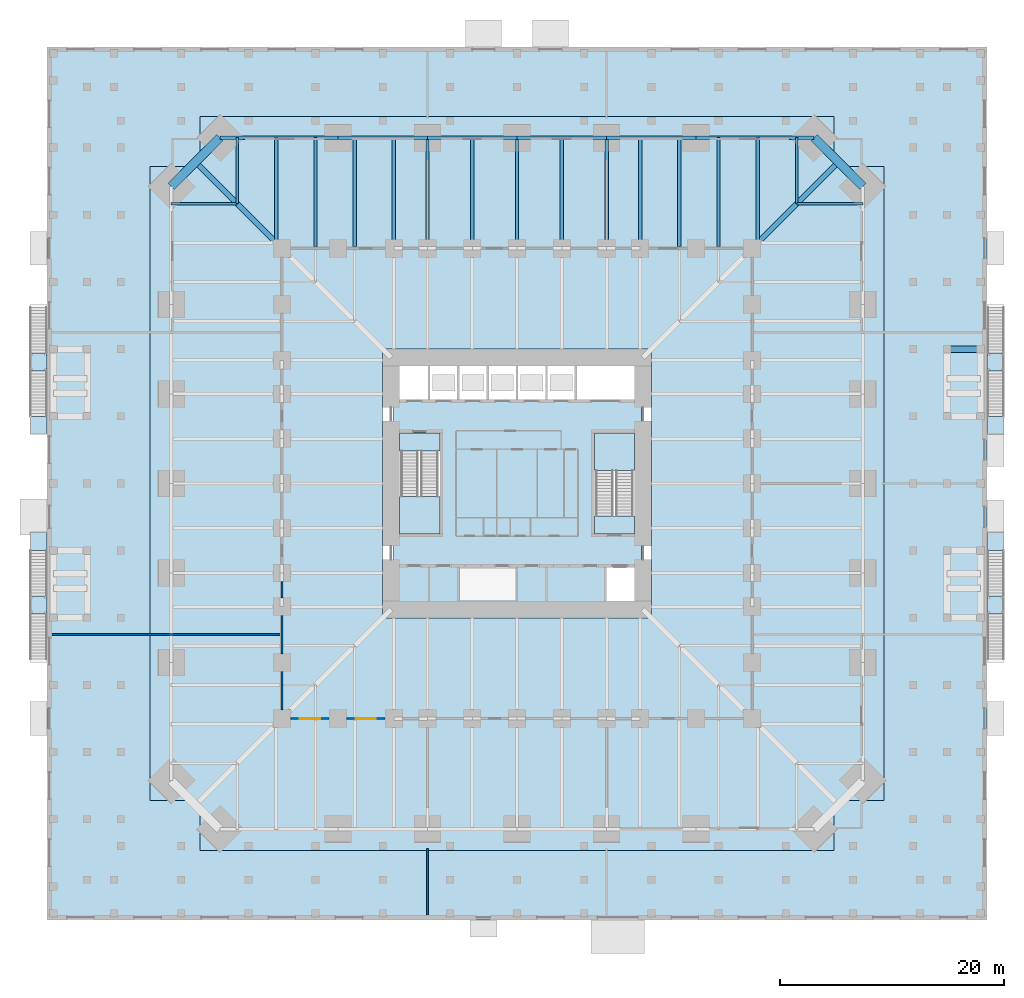
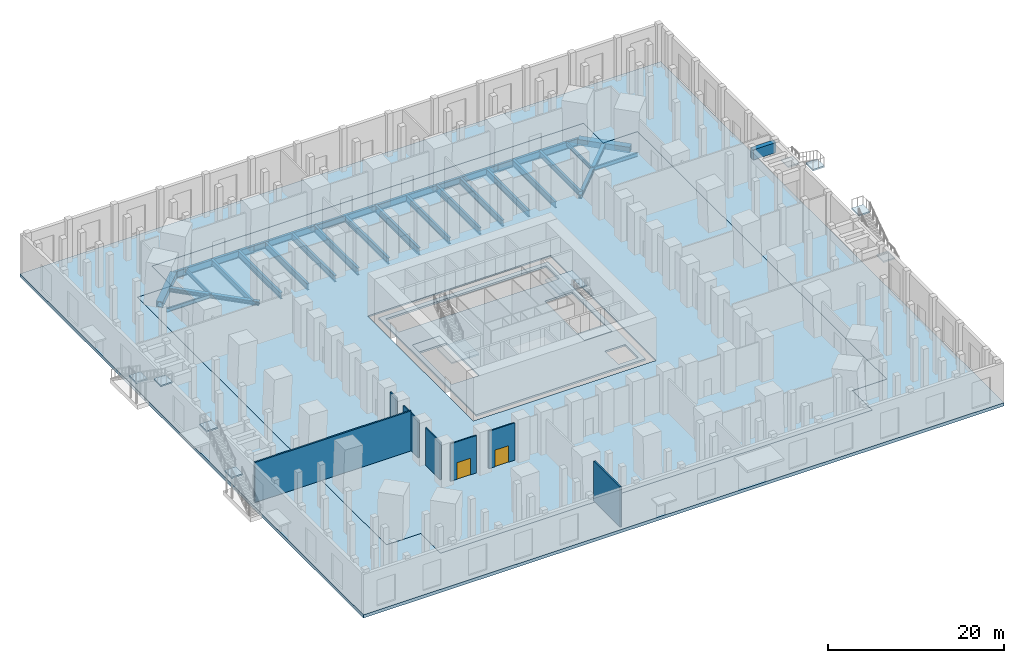
# One storey, part 10 of 20: 28 beams, 15 slabs, 7 walls, 2 doors, 2 openings, 6 elements without a shape of their own.
"""IFC4 building model written with IfcOpenShell, lengths in metres."""

from ifc_helpers import new_model, si_unit, direction, frame, frame_2d, origin, origin_2d, place, context, subcontext, project, spatial, polyline, rectangle, hollow_rectangle, i_section, outline, extrude, boolean, material, layer, layer_set, material_profile, profile_set, type_object, element, fill, aggregate, save


model = new_model("IFC4")

# Units and contexts
model_context = context("Model", 3, precision=1e-05, world=origin(), true_north=direction((0.0, 1.0)))
body_context = subcontext(model_context, "Body", "Model", "MODEL_VIEW")
ifc_project = project(units=[si_unit("LENGTHUNIT", "METRE"), si_unit("AREAUNIT", "SQUARE_METRE"), si_unit("VOLUMEUNIT", "CUBIC_METRE"), si_unit("PLANEANGLEUNIT", "RADIAN"), si_unit("MASSUNIT", "GRAM", prefix="KILO")], contexts=[model_context])

# Site, building, storey
site_placement = place(None, origin())
site = spatial("IfcSite", under=ifc_project, at=site_placement, CompositionType="ELEMENT")
building_placement = place(site_placement, origin())
building = spatial("IfcBuilding", under=site, at=building_placement, Name="Peilmerk Tower", CompositionType="ELEMENT")
storey_placement = place(building_placement, origin())
storey = spatial("IfcBuildingStorey", under=building, at=storey_placement, Name="L00", CompositionType="ELEMENT", Elevation=0.0)

# Beams
ifc_material_1 = material(Name="Steel S355", Category="steel")
ifc_material_profile_1 = material_profile(ifc_material_1, i_section(OverallWidth=0.302001953125, OverallDepth=1.008056640625, WebThickness=0.02099609375, FlangeThickness=0.0400390625, at=origin_2d()), Name="HEM 1000")
ifc_profile_set_1 = profile_set([ifc_material_profile_1], Name="Steel S355")
beam_type_1 = type_object("IfcBeamType", Name="B1 HEM 1000 edge beam", PredefinedType="SPANDREL", material=ifc_profile_set_1)
for number, where, z_axis, x_axis, name in (
    (1, (26.546875, 30.896728515625, -0.7041015625), (-1.0, 0.0, 0.0), (0.0, -1.0, 0.0), "Edge beam L00"),
    (2, (-16.0, 30.896728515625, -0.7041015625), (-1.0, 0.0, 0.0), (0.0, -1.0, 0.0), "Edge beam L00"),
):
    element("IfcBeam", number, at=place(storey_placement, frame(where, z_axis=z_axis, x_axis=x_axis)), inside=storey, type_object=beam_type_1, Name=name, PredefinedType="SPANDREL", context=body_context, shape_type="SweptSolid", body=[
        extrude(i_section(OverallWidth=0.302001953125, OverallDepth=1.008056640625, WebThickness=0.02099609375, FlangeThickness=0.0400390625, at=origin_2d()), origin(), (0.0, 0.0, 1.0), 10.546875),
    ])
ifc_material_profile_2 = material_profile(ifc_material_1, i_section(OverallWidth=0.2099609375, OverallDepth=0.550048828125, WebThickness=0.010986328125, FlangeThickness=0.01708984375, at=origin_2d()), Name="IPE 550")
ifc_profile_set_2 = profile_set([ifc_material_profile_2], Name="Steel S355")
beam_type_2 = type_object("IfcBeamType", Name="B12 IPE 550 floor beam", PredefinedType="BEAM", material=ifc_profile_set_2)
for number, where, z_axis, x_axis, name in (
    (3, (25.0, 25.0, -0.47509765625), (0.0, 1.0, 0.0), (-1.0, 0.0, 0.0), "Floor beam L00"),
    (4, (25.0, 25.0, -0.47509765625), (1.0, 0.0, 0.0), (0.0, 1.0, 0.0), "Floor beam L00"),
    (5, (-25.0, 25.0, -0.47509765625), (0.0, 1.0, 0.0), (-1.0, 0.0, 0.0), "Floor beam L00"),
    (6, (-25.0, 25.0, -0.47509765625), (-1.0, 0.0, 0.0), (0.0, -1.0, 0.0), "Floor beam L00"),
):
    element("IfcBeam", number, at=place(storey_placement, frame(where, z_axis=z_axis, x_axis=x_axis)), inside=storey, type_object=beam_type_2, Name=name, PredefinedType="BEAM", context=body_context, shape_type="SweptSolid", body=[
        extrude(i_section(OverallWidth=0.2099609375, OverallDepth=0.550048828125, WebThickness=0.010986328125, FlangeThickness=0.01708984375, at=origin_2d()), origin(), (0.0, 0.0, 1.0), 5.896728515625),
    ])
ifc_material_profile_3 = material_profile(ifc_material_1, i_section(OverallWidth=0.302001953125, OverallDepth=0.909912109375, WebThickness=0.02099609375, FlangeThickness=0.0400390625, at=origin_2d()), Name="HEM 900")
ifc_profile_set_3 = profile_set([ifc_material_profile_3], Name="Steel S355")
beam_type_3 = type_object("IfcBeamType", Name="B2 HEM 900 edge beam", PredefinedType="SPANDREL", material=ifc_profile_set_3)
for number, where, z_axis, x_axis, name in (
    (7, (16.0, 30.896728515625, -0.655029296875), (-1.0, 0.0, 0.0), (0.0, -1.0, 0.0), "Edge beam L00"),
    (8, (8.0, 30.896728515625, -0.655029296875), (-1.0, 0.0, 0.0), (0.0, -1.0, 0.0), "Edge beam L00"),
    (9, (0.0, 30.896728515625, -0.655029296875), (-1.0, 0.0, 0.0), (0.0, -1.0, 0.0), "Edge beam L00"),
    (10, (-8.0, 30.896728515625, -0.655029296875), (-1.0, 0.0, 0.0), (0.0, -1.0, 0.0), "Edge beam L00"),
):
    element("IfcBeam", number, at=place(storey_placement, frame(where, z_axis=z_axis, x_axis=x_axis)), inside=storey, type_object=beam_type_3, Name=name, PredefinedType="SPANDREL", context=body_context, shape_type="SweptSolid", body=[
        extrude(i_section(OverallWidth=0.302001953125, OverallDepth=0.909912109375, WebThickness=0.02099609375, FlangeThickness=0.0400390625, at=origin_2d()), origin(), (0.0, 0.0, 1.0), 8.0),
    ])
ifc_material_profile_4 = material_profile(ifc_material_1, i_section(OverallWidth=0.300048828125, OverallDepth=0.7900390625, WebThickness=0.014892578125, FlangeThickness=0.028076171875, at=origin_2d()), Name="HEA 800")
ifc_profile_set_4 = profile_set([ifc_material_profile_4], Name="Steel S355")
beam_type_4 = type_object("IfcBeamType", Name="B3 HEA 800 floor beam", PredefinedType="BEAM", material=ifc_profile_set_4)
for number, where, z_axis, x_axis, name in (
    (11, (21.5, 21.5, -0.594970703125), (0.0, 1.0, 0.0), (-1.0, 0.0, 0.0), "Floor beam L00"),
    (12, (-21.5, 21.5, -0.594970703125), (0.0, 1.0, 0.0), (-1.0, 0.0, 0.0), "Floor beam L00"),
):
    element("IfcBeam", number, at=place(storey_placement, frame(where, z_axis=z_axis, x_axis=x_axis)), inside=storey, type_object=beam_type_4, Name=name, PredefinedType="BEAM", context=body_context, shape_type="SweptSolid", body=[
        extrude(i_section(OverallWidth=0.300048828125, OverallDepth=0.7900390625, WebThickness=0.014892578125, FlangeThickness=0.028076171875, at=origin_2d()), origin(), (0.0, 0.0, 1.0), 9.396728515625),
    ])
ifc_material_profile_5 = material_profile(ifc_material_1, i_section(OverallWidth=0.300048828125, OverallDepth=0.889892578125, WebThickness=0.01611328125, FlangeThickness=0.030029296875, at=origin_2d()), Name="HEA 900")
ifc_profile_set_5 = profile_set([ifc_material_profile_5], Name="Steel S355")
beam_type_5 = type_object("IfcBeamType", Name="B4 HEA 900 floor beam", PredefinedType="BEAM", material=ifc_profile_set_5)
for number, where, z_axis, x_axis, name in (
    (13, (11.0, 21.0, -0.64501953125), (0.0, 1.0, 0.0), (-1.0, 0.0, 0.0), "Floor beam L00"),
    (14, (4.0, 21.0, -0.64501953125), (0.0, 1.0, 0.0), (-1.0, 0.0, 0.0), "Floor beam L00"),
    (15, (-4.0, 21.0, -0.64501953125), (0.0, 1.0, 0.0), (-1.0, 0.0, 0.0), "Floor beam L00"),
    (16, (-11.0, 21.0, -0.64501953125), (0.0, 1.0, 0.0), (-1.0, 0.0, 0.0), "Floor beam L00"),
):
    element("IfcBeam", number, at=place(storey_placement, frame(where, z_axis=z_axis, x_axis=x_axis)), inside=storey, type_object=beam_type_5, Name=name, PredefinedType="BEAM", context=body_context, shape_type="SweptSolid", body=[
        extrude(i_section(OverallWidth=0.300048828125, OverallDepth=0.889892578125, WebThickness=0.01611328125, FlangeThickness=0.030029296875, at=origin_2d()), origin(), (0.0, 0.0, 1.0), 9.896728515625),
    ])
for number, where, z_axis, x_axis, name in (
    (17, (14.5, 21.152587890625, -0.64501953125), (0.0, 1.0, 0.0), (-1.0, 0.0, 0.0), "Floor beam L00"),
    (18, (18.0, 21.152587890625, -0.64501953125), (0.0, 1.0, 0.0), (-1.0, 0.0, 0.0), "Floor beam L00"),
    (19, (-14.5, 21.152587890625, -0.64501953125), (0.0, 1.0, 0.0), (-1.0, 0.0, 0.0), "Floor beam L00"),
    (20, (-18.0, 21.152587890625, -0.64501953125), (0.0, 1.0, 0.0), (-1.0, 0.0, 0.0), "Floor beam L00"),
):
    element("IfcBeam", number, at=place(storey_placement, frame(where, z_axis=z_axis, x_axis=x_axis)), inside=storey, type_object=beam_type_5, Name=name, PredefinedType="BEAM", context=body_context, shape_type="SweptSolid", body=[
        extrude(i_section(OverallWidth=0.300048828125, OverallDepth=0.889892578125, WebThickness=0.01611328125, FlangeThickness=0.030029296875, at=origin_2d()), origin(), (0.0, 0.0, 1.0), 9.744140625),
    ])
ifc_material_profile_6 = material_profile(ifc_material_1, i_section(OverallWidth=0.300048828125, OverallDepth=1.0, WebThickness=0.01904296875, FlangeThickness=0.035888671875, at=origin_2d()), Name="HEB 1000")
ifc_profile_set_6 = profile_set([ifc_material_profile_6], Name="Steel S355")
beam_type_6 = type_object("IfcBeamType", Name="B5 HEB 1000 floor girder", PredefinedType="BEAM", material=ifc_profile_set_6)
for number, where, z_axis, x_axis, name in (
    (21, (8.0, 21.0, -0.699951171875), (0.0, 1.0, 0.0), (-1.0, 0.0, 0.0), "Floor girder L00"),
    (22, (0.0, 21.0, -0.699951171875), (0.0, 1.0, 0.0), (-1.0, 0.0, 0.0), "Floor girder L00"),
    (23, (-8.0, 21.0, -0.699951171875), (0.0, 1.0, 0.0), (-1.0, 0.0, 0.0), "Floor girder L00"),
):
    element("IfcBeam", number, at=place(storey_placement, frame(where, z_axis=z_axis, x_axis=x_axis)), inside=storey, type_object=beam_type_6, Name=name, PredefinedType="BEAM", context=body_context, shape_type="SweptSolid", body=[
        extrude(i_section(OverallWidth=0.300048828125, OverallDepth=1.0, WebThickness=0.01904296875, FlangeThickness=0.035888671875, at=origin_2d()), origin(), (0.0, 0.0, 1.0), 9.896728515625),
    ])
ifc_material_2 = material(Name="Steel S460", Category="steel")
ifc_material_profile_7 = material_profile(ifc_material_2, hollow_rectangle(XDim=0.800048828125, YDim=0.800048828125, WallThickness=0.080078125, at=origin_2d()), Name="BOX 800x800x80")
ifc_profile_set_7 = profile_set([ifc_material_profile_7], Name="Steel S460")
beam_type_7 = type_object("IfcBeamType", Name="B8 BOX 800x800x80 notch beam", PredefinedType="SPANDREL", material=ifc_profile_set_7)
for number, where, z_axis, x_axis, name in (
    (24, (26.546875, 30.896728515625, -0.60009765625), (0.707106781187, -0.707106781187, 0.0), (0.707106781187, 0.707106781187, 0.0), "Notch beam L00"),
    (25, (-30.896728515625, 26.546875, -0.60009765625), (0.707106781187, 0.707106781187, 0.0), (-0.707106781187, 0.707106781187, 0.0), "Notch beam L00"),
):
    element("IfcBeam", number, at=place(storey_placement, frame(where, z_axis=z_axis, x_axis=x_axis)), inside=storey, type_object=beam_type_7, Name=name, PredefinedType="SPANDREL", context=body_context, shape_type="SweptSolid", body=[
        extrude(hollow_rectangle(XDim=0.800048828125, YDim=0.800048828125, WallThickness=0.080078125, at=origin_2d()), origin(), (0.0, 0.0, 1.0), 6.151611328125),
    ])
ifc_material_profile_8 = material_profile(ifc_material_2, i_section(OverallWidth=0.4541015625, OverallDepth=0.569091796875, WebThickness=0.077880859375, FlangeThickness=0.125, at=origin_2d()), Name="HD 400x1086")
ifc_profile_set_8 = profile_set([ifc_material_profile_8], Name="Steel S460")
beam_type_8 = type_object("IfcBeamType", Name="B9 HD 400x1086 corner girder", PredefinedType="BEAM", material=ifc_profile_set_8)
for number, where, z_axis, x_axis, name in (
    (26, (21.0, 21.0, -0.484619140625), (0.707106781187, 0.707106781187, 0.0), (-0.707106781187, 0.707106781187, 0.0), "Corner girder L00"),
    (27, (-21.0, 21.0, -0.484619140625), (-0.707106781187, 0.707106781187, 0.0), (-0.707106781187, -0.707106781187, 0.0), "Corner girder L00"),
):
    element("IfcBeam", number, at=place(storey_placement, frame(where, z_axis=z_axis, x_axis=x_axis)), inside=storey, type_object=beam_type_8, Name=name, PredefinedType="BEAM", context=body_context, shape_type="SweptSolid", body=[
        extrude(i_section(OverallWidth=0.4541015625, OverallDepth=0.569091796875, WebThickness=0.077880859375, FlangeThickness=0.125, at=origin_2d()), origin(), (0.0, 0.0, 1.0), 10.920166015625),
    ])
ifc_material_3 = material(Name="Concrete C35/45", Category="concrete")
ifc_material_profile_9 = material_profile(ifc_material_3, rectangle(XDim=0.60009765625, YDim=1.39990234375, at=origin_2d()), Name="RC 600x1400")
ifc_profile_set_9 = profile_set([ifc_material_profile_9], Name="Concrete C35/45")
beam_type_9 = type_object("IfcBeamType", Name="TB1 600x1400 stair transfer beam", PredefinedType="BEAM", material=ifc_profile_set_9)
beam_placement = place(storey_placement, frame((38.39990234375, 12.0, 4.85009765625), z_axis=(1.0, 0.0, 0.0), x_axis=(0.0, 1.0, 0.0)))
element("IfcBeam", 28, at=beam_placement, inside=storey, type_object=beam_type_9, Name="External stair 3 transfer beam", PredefinedType="BEAM", context=body_context, shape_type="SweptSolid", body=[
    extrude(rectangle(XDim=0.60009765625, YDim=1.39990234375, at=origin_2d()), origin(), (0.0, 0.0, 1.0), 3.0),
])

# Slabs
ifc_material_4 = material(Name="Concrete C55/67", Category="concrete")
ifc_layer_1 = layer(ifc_material_4, 0.25)
ifc_layer_set_1 = layer_set([ifc_layer_1], Name="Concrete C55/67")
slab_type_1 = type_object("IfcSlabType", Name="CS250 250 core floor slab", PredefinedType="FLOOR", material=ifc_layer_set_1)
slab_1_placement = place(storey_placement, frame((0.0, 0.0, -0.25)))
element("IfcSlab", 29, at=slab_1_placement, inside=storey, type_object=slab_type_1, Name="Core slab L00", PredefinedType="FLOOR", context=body_context, shape_type="SweptSolid", body=[
    extrude(outline(polyline([(-11.10009765625, 11.10009765625), (-11.10009765625, -11.10009765625), (11.10009765625, -11.10009765625), (11.10009765625, 11.10009765625), (-11.10009765625, 11.10009765625)]), holes=[polyline([(10.5, 7.5), (-10.5, 7.5), (-10.5, 10.5), (10.5, 10.5), (10.5, 7.5)]), polyline([(7.875, -10.5), (7.875, -7.5), (10.5, -7.5), (10.5, -10.5), (7.875, -10.5)]), polyline([(-10.5, 4.5), (-6.89990234375, 4.5), (-6.89990234375, -4.5), (-10.5, -4.5), (-10.5, 4.5)]), polyline([(10.5, 4.5), (10.5, -4.5), (6.89990234375, -4.5), (6.89990234375, 4.5), (10.5, 4.5)])]), origin(), (0.0, 0.0, 1.0), 0.25),
])
ifc_layer_2 = layer(ifc_material_3, 0.199951171875)
ifc_layer_set_2 = layer_set([ifc_layer_2], Name="Concrete C35/45")
slab_type_2 = type_object("IfcSlabType", Name="FS200 200 composite floor slab", PredefinedType="FLOOR", material=ifc_layer_set_2)
slab_2_placement = place(storey_placement, frame((0.0, 0.0, -0.199951171875)))
element("IfcSlab", 30, at=slab_2_placement, inside=storey, type_object=slab_type_2, Name="Floor slab L00", PredefinedType="FLOOR", context=body_context, shape_type="SweptSolid", body=[
    extrude(outline(polyline([(-28.300048828125, -32.800048828125), (28.300048828125, -32.800048828125), (28.300048828125, -28.300048828125), (32.800048828125, -28.300048828125), (32.800048828125, 28.300048828125), (28.300048828125, 28.300048828125), (28.300048828125, 32.800048828125), (-28.300048828125, 32.800048828125), (-28.300048828125, 28.300048828125), (-32.800048828125, 28.300048828125), (-32.800048828125, -28.300048828125), (-28.300048828125, -28.300048828125), (-28.300048828125, -32.800048828125)]), holes=[polyline([(12.0, 12.0), (12.0, -12.0), (-12.0, -12.0), (-12.0, 12.0), (12.0, 12.0)])]), origin(), (0.0, 0.0, 1.0), 0.199951171875),
])
ifc_layer_3 = layer(ifc_material_3, 0.449951171875)
ifc_layer_set_3 = layer_set([ifc_layer_3], Name="Concrete C35/45")
slab_type_3 = type_object("IfcSlabType", Name="PS450 450 podium flat slab", PredefinedType="FLOOR", material=ifc_layer_set_3)
slab_3_placement = place(storey_placement, frame((0.0, 0.0, -0.449951171875)))
element("IfcSlab", 31, at=slab_3_placement, inside=storey, type_object=slab_type_3, Name="Podium slab L00", PredefinedType="FLOOR", context=body_context, shape_type="CSG", body=[
    boolean("DIFFERENCE", boolean("DIFFERENCE", boolean("DIFFERENCE", boolean("DIFFERENCE", extrude(outline(polyline([(-42.0, 39.0), (-42.0, -39.0), (42.0, -39.0), (42.0, 39.0), (-42.0, 39.0)]), holes=[polyline([(28.300048828125, -28.300048828125), (28.300048828125, -32.800048828125), (-28.300048828125, -32.800048828125), (-28.300048828125, -28.300048828125), (-32.800048828125, -28.300048828125), (-32.800048828125, 28.300048828125), (-28.300048828125, 28.300048828125), (-28.300048828125, 32.800048828125), (28.300048828125, 32.800048828125), (28.300048828125, 28.300048828125), (32.800048828125, 28.300048828125), (32.800048828125, -28.300048828125), (28.300048828125, -28.300048828125)])]), origin(), (0.0, 0.0, 1.0), 0.449951171875), extrude(outline(polyline([(28.577880859375, 28.300048828125), (28.300048828125, 28.577880859375), (28.300048828125, 29.709228515625), (29.709228515625, 28.300048828125), (28.577880859375, 28.300048828125)])), frame((0.0, 0.0, -0.010009765625)), (0.0, 0.0, 1.0), 0.260009765625)), extrude(outline(polyline([(29.709228515625, -28.300048828125), (28.300048828125, -29.709228515625), (28.300048828125, -28.577880859375), (28.577880859375, -28.300048828125), (29.709228515625, -28.300048828125)])), frame((0.0, 0.0, -0.010009765625)), (0.0, 0.0, 1.0), 0.260009765625)), extrude(outline(polyline([(-28.577880859375, -28.300048828125), (-28.300048828125, -28.577880859375), (-28.300048828125, -29.709228515625), (-29.709228515625, -28.300048828125), (-28.577880859375, -28.300048828125)])), frame((0.0, 0.0, -0.010009765625)), (0.0, 0.0, 1.0), 0.260009765625)), extrude(outline(polyline([(-28.300048828125, 28.577880859375), (-28.577880859375, 28.300048828125), (-29.709228515625, 28.300048828125), (-28.300048828125, 29.709228515625), (-28.300048828125, 28.577880859375)])), frame((0.0, 0.0, -0.010009765625)), (0.0, 0.0, 1.0), 0.260009765625)),
])

# Stair, slab
ifc_material_5 = material(Name="Precast concrete C45/55", Category="concrete")
stair_type_1 = type_object("IfcStairType", Name="ST1 32 risers of 187.5", PredefinedType="HALF_TURN_STAIR", material=ifc_material_5)
stair_1_placement = place(storey_placement, origin())
stair_1 = element("IfcStair", 32, at=stair_1_placement, inside=storey, type_object=stair_type_1, Name="Stair 1 L00 to L01", PredefinedType="HALF_TURN_STAIR")
ifc_layer_4 = layer(ifc_material_3, 0.199951171875)
ifc_layer_set_4 = layer_set([ifc_layer_4], Name="Concrete C35/45")
slab_type_4 = type_object("IfcSlabType", Name="SL1 200 concrete stair landing", PredefinedType="LANDING", material=ifc_layer_set_4)
slab_4_placement = place(storey_placement, frame((0.0, 0.0, 2.800048828125)))
slab_4 = element("IfcSlab", 33, at=slab_4_placement, type_object=slab_type_4, Name="ST1 landing 1", PredefinedType="LANDING", context=body_context, shape_type="SweptSolid", body=[
    extrude(outline(polyline([(-10.5, -4.5), (-6.89990234375, -4.5), (-6.89990234375, -1.14990234375), (-10.5, -1.14990234375), (-10.5, -4.5)])), origin(), (0.0, 0.0, 1.0), 0.199951171875),
])

stair_type_2 = type_object("IfcStairType", Name="ST2 32 risers of 187.5", PredefinedType="HALF_TURN_STAIR", material=ifc_material_5)
stair_2_placement = place(storey_placement, origin())
stair_2 = element("IfcStair", 34, at=stair_2_placement, inside=storey, type_object=stair_type_2, Name="Stair 2 L00 to L01", PredefinedType="HALF_TURN_STAIR")
slab_5_placement = place(storey_placement, frame((0.0, 0.0, 2.800048828125)))
slab_5 = element("IfcSlab", 35, at=slab_5_placement, type_object=slab_type_4, Name="ST2 landing 1", PredefinedType="LANDING", context=body_context, shape_type="SweptSolid", body=[
    extrude(outline(polyline([(6.89990234375, 1.14990234375), (10.5, 1.14990234375), (10.5, 4.5), (6.89990234375, 4.5), (6.89990234375, 1.14990234375)])), origin(), (0.0, 0.0, 1.0), 0.199951171875),
])

# Stair, slabs
stair_type_3 = type_object("IfcStairType", Name="ST3 32 risers of 187.5, two straight flights", PredefinedType="TWO_STRAIGHT_RUN_STAIR", material=ifc_material_5)
stair_3_placement = place(storey_placement, origin())
stair_3 = element("IfcStair", 36, at=stair_3_placement, inside=storey, type_object=stair_type_3, Name="External stair 3 L00 to L01", PredefinedType="TWO_STRAIGHT_RUN_STAIR")
slab_6_placement = place(storey_placement, frame((0.0, 0.0, 2.800048828125)))
slab_6 = element("IfcSlab", 37, at=slab_6_placement, type_object=slab_type_4, Name="ST3 landing 1", PredefinedType="LANDING", context=body_context, shape_type="SweptSolid", body=[
    extrude(outline(polyline([(42.0, 10.050048828125), (43.5, 10.050048828125), (43.5, 11.64990234375), (42.0, 11.64990234375), (42.0, 10.050048828125)])), origin(), (0.0, 0.0, 1.0), 0.199951171875),
])
slab_7_placement = place(storey_placement, frame((0.0, 0.0, 5.800048828125)))
slab_7 = element("IfcSlab", 38, at=slab_7_placement, type_object=slab_type_4, Name="ST3 landing 2", PredefinedType="LANDING", context=body_context, shape_type="SweptSolid", body=[
    extrude(outline(polyline([(42.0, 4.39990234375), (43.5, 4.39990234375), (43.5, 6.0), (42.0, 6.0), (42.0, 4.39990234375)])), origin(), (0.0, 0.0, 1.0), 0.199951171875),
])
aggregate(stair_3, [slab_6, slab_7])

stair_type_4 = type_object("IfcStairType", Name="ST4 32 risers of 187.5, two straight flights", PredefinedType="TWO_STRAIGHT_RUN_STAIR", material=ifc_material_5)
stair_4_placement = place(storey_placement, origin())
stair_4 = element("IfcStair", 39, at=stair_4_placement, inside=storey, type_object=stair_type_4, Name="External stair 4 L00 to L01", PredefinedType="TWO_STRAIGHT_RUN_STAIR")
slab_8_placement = place(storey_placement, frame((0.0, 0.0, 2.800048828125)))
slab_8 = element("IfcSlab", 40, at=slab_8_placement, type_object=slab_type_4, Name="ST4 landing 1", PredefinedType="LANDING", context=body_context, shape_type="SweptSolid", body=[
    extrude(outline(polyline([(42.0, -11.64990234375), (43.5, -11.64990234375), (43.5, -10.050048828125), (42.0, -10.050048828125), (42.0, -11.64990234375)])), origin(), (0.0, 0.0, 1.0), 0.199951171875),
])
slab_9_placement = place(storey_placement, frame((0.0, 0.0, 5.800048828125)))
slab_9 = element("IfcSlab", 41, at=slab_9_placement, type_object=slab_type_4, Name="ST4 landing 2", PredefinedType="LANDING", context=body_context, shape_type="SweptSolid", body=[
    extrude(outline(polyline([(42.0, -6.0), (43.5, -6.0), (43.5, -4.39990234375), (42.0, -4.39990234375), (42.0, -6.0)])), origin(), (0.0, 0.0, 1.0), 0.199951171875),
])
aggregate(stair_4, [slab_8, slab_9])

stair_type_5 = type_object("IfcStairType", Name="ST5 32 risers of 187.5, two straight flights", PredefinedType="TWO_STRAIGHT_RUN_STAIR", material=ifc_material_5)
stair_5_placement = place(storey_placement, origin())
stair_5 = element("IfcStair", 42, at=stair_5_placement, inside=storey, type_object=stair_type_5, Name="External stair 5 L00 to L01", PredefinedType="TWO_STRAIGHT_RUN_STAIR")
slab_10_placement = place(storey_placement, frame((0.0, 0.0, 2.800048828125)))
slab_10 = element("IfcSlab", 43, at=slab_10_placement, type_object=slab_type_4, Name="ST5 landing 1", PredefinedType="LANDING", context=body_context, shape_type="SweptSolid", body=[
    extrude(outline(polyline([(-43.5, 10.050048828125), (-42.0, 10.050048828125), (-42.0, 11.64990234375), (-43.5, 11.64990234375), (-43.5, 10.050048828125)])), origin(), (0.0, 0.0, 1.0), 0.199951171875),
])
slab_11_placement = place(storey_placement, frame((0.0, 0.0, 5.800048828125)))
slab_11 = element("IfcSlab", 44, at=slab_11_placement, type_object=slab_type_4, Name="ST5 landing 2", PredefinedType="LANDING", context=body_context, shape_type="SweptSolid", body=[
    extrude(outline(polyline([(-43.5, 4.39990234375), (-42.0, 4.39990234375), (-42.0, 6.0), (-43.5, 6.0), (-43.5, 4.39990234375)])), origin(), (0.0, 0.0, 1.0), 0.199951171875),
])
aggregate(stair_5, [slab_10, slab_11])

stair_type_6 = type_object("IfcStairType", Name="ST6 32 risers of 187.5, two straight flights", PredefinedType="TWO_STRAIGHT_RUN_STAIR", material=ifc_material_5)
stair_6_placement = place(storey_placement, origin())
stair_6 = element("IfcStair", 45, at=stair_6_placement, inside=storey, type_object=stair_type_6, Name="External stair 6 L00 to L01", PredefinedType="TWO_STRAIGHT_RUN_STAIR")
slab_12_placement = place(storey_placement, frame((0.0, 0.0, 2.800048828125)))
slab_12 = element("IfcSlab", 46, at=slab_12_placement, type_object=slab_type_4, Name="ST6 landing 1", PredefinedType="LANDING", context=body_context, shape_type="SweptSolid", body=[
    extrude(outline(polyline([(-43.5, -11.64990234375), (-42.0, -11.64990234375), (-42.0, -10.050048828125), (-43.5, -10.050048828125), (-43.5, -11.64990234375)])), origin(), (0.0, 0.0, 1.0), 0.199951171875),
])
slab_13_placement = place(storey_placement, frame((0.0, 0.0, 5.800048828125)))
slab_13 = element("IfcSlab", 47, at=slab_13_placement, type_object=slab_type_4, Name="ST6 landing 2", PredefinedType="LANDING", context=body_context, shape_type="SweptSolid", body=[
    extrude(outline(polyline([(-43.5, -6.0), (-42.0, -6.0), (-42.0, -4.39990234375), (-43.5, -4.39990234375), (-43.5, -6.0)])), origin(), (0.0, 0.0, 1.0), 0.199951171875),
])
aggregate(stair_6, [slab_12, slab_13])

# Slab
ifc_layer_5 = layer(ifc_material_3, 0.25)
ifc_layer_set_5 = layer_set([ifc_layer_5], Name="Concrete C35/45")
slab_type_5 = type_object("IfcSlabType", Name="SL2 250 concrete floor landing", PredefinedType="LANDING", material=ifc_layer_set_5)
slab_14_placement = place(storey_placement, frame((0.0, 0.0, -0.25)))
slab_14 = element("IfcSlab", 48, at=slab_14_placement, type_object=slab_type_5, Name="ST1 floor landing", PredefinedType="LANDING", context=body_context, shape_type="SweptSolid", body=[
    extrude(outline(polyline([(-10.5, 2.89990234375), (-6.89990234375, 2.89990234375), (-6.89990234375, 4.5), (-10.5, 4.5), (-10.5, 2.89990234375)])), origin(), (0.0, 0.0, 1.0), 0.25),
])

aggregate(stair_1, [slab_4, slab_14])

slab_15_placement = place(storey_placement, frame((0.0, 0.0, -0.25)))
slab_15 = element("IfcSlab", 49, at=slab_15_placement, type_object=slab_type_5, Name="ST2 floor landing", PredefinedType="LANDING", context=body_context, shape_type="SweptSolid", body=[
    extrude(outline(polyline([(6.89990234375, -4.5), (10.5, -4.5), (10.5, -2.89990234375), (6.89990234375, -2.89990234375), (6.89990234375, -4.5)])), origin(), (0.0, 0.0, 1.0), 0.25),
])

aggregate(stair_2, [slab_5, slab_15])

# Wall, opening, door
ifc_material_6 = material(Name="Calcium silicate block", Category="masonry")
ifc_layer_6 = layer(ifc_material_6, 0.14990234375)
ifc_layer_set_6 = layer_set([ifc_layer_6], Name="Calcium silicate block")
wall_type_1 = type_object("IfcWallType", Name="IW1 150 corridor partition, EI 60", PredefinedType="PARTITIONING", material=ifc_layer_set_6)
wall_1_placement = place(storey_placement, frame((-11.800048828125, -21.0, 0.0), z_axis=(0.0, 0.0, 1.0), x_axis=(-1.0, 0.0, 0.0)))
wall_1 = element("IfcWall", 50, at=wall_1_placement, inside=storey, type_object=wall_type_1, Name="Corridor wall Si L00", PredefinedType="PARTITIONING", context=body_context, shape_type="SweptSolid", body=[
    extrude(rectangle(XDim=3.39990234375, YDim=0.14990234375, at=frame_2d((1.699951171875, 0.0))), origin(), (0.0, 0.0, 1.0), 5.179931640625),
])
opening_1_placement = place(wall_1_placement, frame((0.800048828125, 0.0, 0.0)))
opening_1 = element("IfcOpeningElement", 51, at=opening_1_placement, cuts=wall_1, Name="Opening D2", PredefinedType="OPENING", context=body_context, shape_type="SweptSolid", body=[
    extrude(rectangle(XDim=1.800048828125, YDim=2.300048828125, at=frame_2d((0.89990234375, 1.14990234375))), frame((0.0, 0.0849609375, 0.0), z_axis=(0.0, -1.0, 0.0), x_axis=(1.0, 0.0, 0.0)), (0.0, 0.0, 1.0), 0.169921875),
])
ifc_material_7 = material(Name="Steel door in steel frame", Category="steel")
door_type = type_object("IfcDoorType", Name="D2 1800x2300 double door, EI2 60", OperationType="DOUBLE_DOOR_DOUBLE_SWING", PredefinedType="DOOR", material=ifc_material_7)
door_1_placement = place(opening_1_placement, origin())
door_1 = element("IfcDoor", 52, at=door_1_placement, inside=storey, type_object=door_type, Name="Door Loading dock L00", OperationType="DOUBLE_DOOR_DOUBLE_SWING", OverallHeight=2.300048828125, OverallWidth=1.800048828125, PredefinedType="DOOR", context=body_context, shape_type="SweptSolid", body=[
    extrude(rectangle(XDim=1.800048828125, YDim=2.300048828125, at=frame_2d((0.89990234375, 1.14990234375))), frame((0.0, 0.02490234375, 0.0), z_axis=(0.0, -1.0, 0.0), x_axis=(1.0, 0.0, 0.0)), (0.0, 0.0, 1.0), 0.050048828125),
])
fill(opening_1, door_1)

wall_2_placement = place(storey_placement, frame((-16.800048828125, -21.0, 0.0), z_axis=(0.0, 0.0, 1.0), x_axis=(-1.0, 0.0, 0.0)))
wall_2 = element("IfcWall", 53, at=wall_2_placement, inside=storey, type_object=wall_type_1, Name="Corridor wall Sj L00", PredefinedType="PARTITIONING", context=body_context, shape_type="SweptSolid", body=[
    extrude(rectangle(XDim=3.39990234375, YDim=0.14990234375, at=frame_2d((1.699951171875, 0.0))), origin(), (0.0, 0.0, 1.0), 5.179931640625),
])
opening_2_placement = place(wall_2_placement, frame((0.800048828125, 0.0, 0.0)))
opening_2 = element("IfcOpeningElement", 54, at=opening_2_placement, cuts=wall_2, Name="Opening D2", PredefinedType="OPENING", context=body_context, shape_type="SweptSolid", body=[
    extrude(rectangle(XDim=1.800048828125, YDim=2.300048828125, at=frame_2d((0.89990234375, 1.14990234375))), frame((0.0, 0.0849609375, 0.0), z_axis=(0.0, -1.0, 0.0), x_axis=(1.0, 0.0, 0.0)), (0.0, 0.0, 1.0), 0.169921875),
])
door_2_placement = place(opening_2_placement, origin())
door_2 = element("IfcDoor", 55, at=door_2_placement, inside=storey, type_object=door_type, Name="Door Loading dock L00", OperationType="DOUBLE_DOOR_DOUBLE_SWING", OverallHeight=2.300048828125, OverallWidth=1.800048828125, PredefinedType="DOOR", context=body_context, shape_type="SweptSolid", body=[
    extrude(rectangle(XDim=1.800048828125, YDim=2.300048828125, at=frame_2d((0.89990234375, 1.14990234375))), frame((0.0, 0.02490234375, 0.0), z_axis=(0.0, -1.0, 0.0), x_axis=(1.0, 0.0, 0.0)), (0.0, 0.0, 1.0), 0.050048828125),
])
fill(opening_2, door_2)

# Walls
wall_3_placement = place(storey_placement, frame((-21.0, -8.800048828125, 0.0), z_axis=(0.0, 0.0, 1.0), x_axis=(0.0, -1.0, 0.0)))
element("IfcWall", 56, at=wall_3_placement, inside=storey, type_object=wall_type_1, Name="Corridor wall Wh L00", PredefinedType="PARTITIONING", context=body_context, shape_type="SweptSolid", body=[
    extrude(rectangle(XDim=1.39990234375, YDim=0.14990234375, at=frame_2d((0.699951171875, 0.0))), origin(), (0.0, 0.0, 1.0), 5.27587890625),
])
for number, where, z_axis, x_axis, name in (
    (57, (-21.0, -11.800048828125, 0.0), (0.0, 0.0, 1.0), (0.0, -1.0, 0.0), "Corridor wall Wi L00"),
    (58, (-21.0, -16.800048828125, 0.0), (0.0, 0.0, 1.0), (0.0, -1.0, 0.0), "Corridor wall Wj L00"),
):
    element("IfcWall", number, at=place(storey_placement, frame(where, z_axis=z_axis, x_axis=x_axis)), inside=storey, type_object=wall_type_1, Name=name, PredefinedType="PARTITIONING", context=body_context, shape_type="SweptSolid", body=[
        extrude(rectangle(XDim=3.39990234375, YDim=0.14990234375, at=frame_2d((1.699951171875, 0.0))), origin(), (0.0, 0.0, 1.0), 5.179931640625),
    ])
ifc_layer_7 = layer(ifc_material_6, 0.199951171875)
ifc_layer_set_7 = layer_set([ifc_layer_7], Name="Calcium silicate block")
wall_type_2 = type_object("IfcWallType", Name="IW2 200 room separating wall, EI 120", PredefinedType="PARTITIONING", material=ifc_layer_set_7)
wall_4_placement = place(storey_placement, frame((-21.074951171875, -13.5, 0.0), z_axis=(0.0, 0.0, 1.0), x_axis=(-1.0, 0.0, 0.0)))
element("IfcWall", 59, at=wall_4_placement, inside=storey, type_object=wall_type_2, Name="Room separating wall SW L00", PredefinedType="PARTITIONING", context=body_context, shape_type="SweptSolid", body=[
    extrude(rectangle(XDim=20.47509765625, YDim=0.199951171875, at=frame_2d((10.237548828125, 0.0))), origin(), (0.0, 0.0, 1.0), 5.550048828125),
])
wall_5_placement = place(storey_placement, frame((-8.0, -32.59375, 0.0), z_axis=(0.0, 0.0, 1.0), x_axis=(0.0, -1.0, 0.0)))
element("IfcWall", 60, at=wall_5_placement, inside=storey, type_object=wall_type_2, Name="Room separating wall S1b L00", PredefinedType="PARTITIONING", context=body_context, shape_type="SweptSolid", body=[
    extrude(rectangle(XDim=5.956298828125, YDim=0.199951171875, at=frame_2d((2.97802734375, 0.0))), origin(), (0.0, 0.0, 1.0), 5.550048828125),
])

save(model, "model.ifc")
